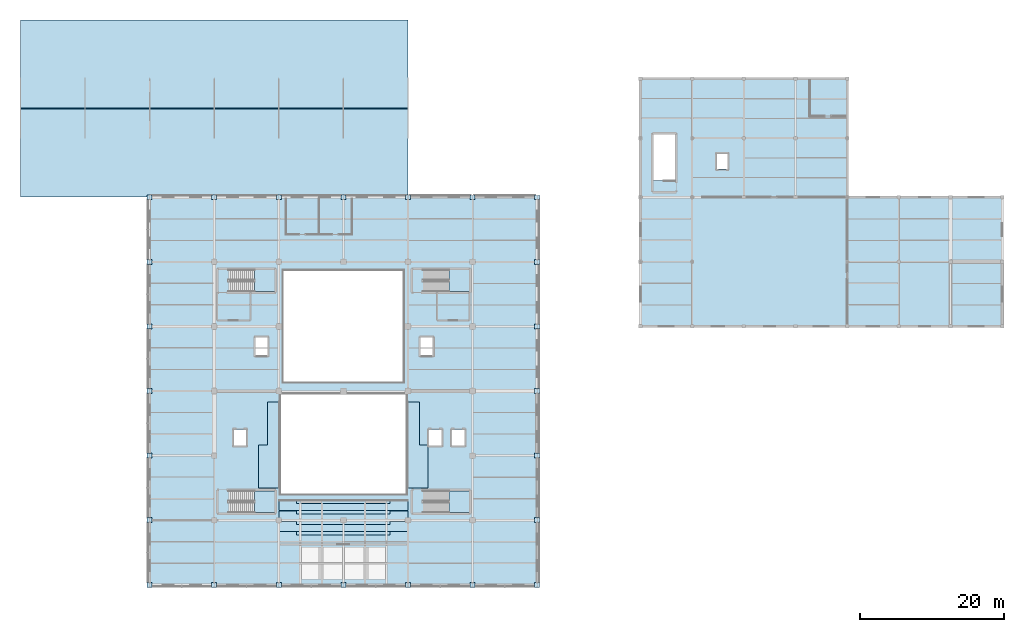
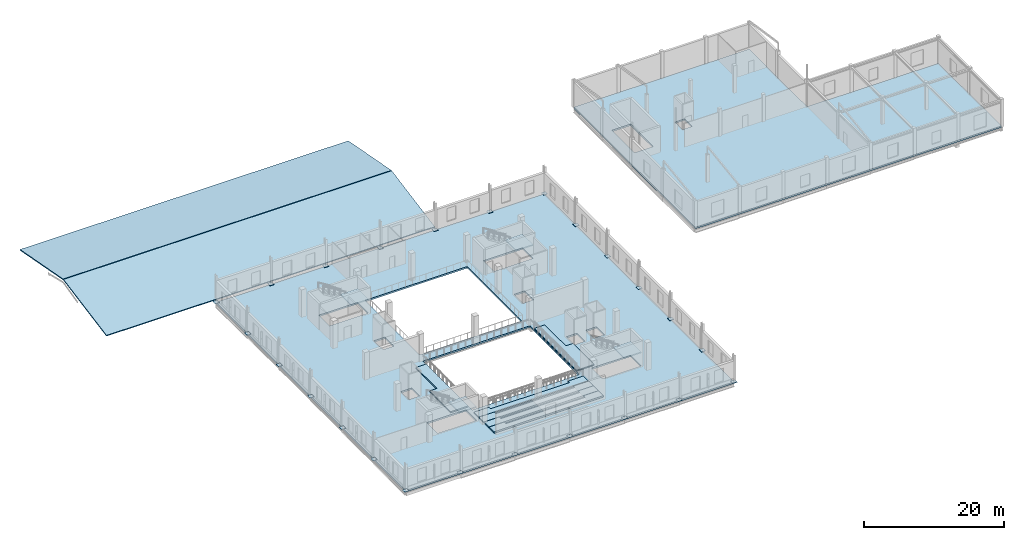
# One storey, part 15 of 35: 24 plates, 14 slabs, 4 elements without a shape of their own.
"""IFC4 building model written with IfcOpenShell, lengths in metres."""

from ifc_helpers import new_model, si_unit, direction, frame, origin, origin_2d, place, context, subcontext, project, spatial, polyline, rectangle, outline, extrude, material, layer, layer_set, type_object, element, aggregate, save


model = new_model("IFC4")

# Units and contexts
model_context = context("Model", 3, precision=1e-05, world=origin(), true_north=direction((0.0, 1.0)))
body_context = subcontext(model_context, "Body", "Model", "MODEL_VIEW")
ifc_project = project(units=[si_unit("LENGTHUNIT", "METRE"), si_unit("AREAUNIT", "SQUARE_METRE"), si_unit("VOLUMEUNIT", "CUBIC_METRE"), si_unit("PLANEANGLEUNIT", "RADIAN"), si_unit("MASSUNIT", "GRAM", prefix="KILO")], contexts=[model_context])

# Site, building, storey
site_placement = place(None, origin())
site = spatial("IfcSite", under=ifc_project, at=site_placement, CompositionType="ELEMENT")
building_placement = place(site_placement, origin())
building = spatial("IfcBuilding", under=site, at=building_placement, Name="Sundgate Opera House", CompositionType="ELEMENT")
storey_placement = place(building_placement, frame((0.0, 0.0, 21.60009765625)))
storey = spatial("IfcBuildingStorey", under=building, at=storey_placement, Name="L04", CompositionType="ELEMENT", Elevation=21.60009765625)

# Plates
ifc_material_1 = material(Name="Steel S355J2", Category="steel")
ifc_layer_1 = layer(ifc_material_1, 0.02587890625)
ifc_layer_set_1 = layer_set([ifc_layer_1], Name="Steel S355J2")
plate_type_1 = type_object("IfcPlateType", Name="PT-BAS-26", PredefinedType="USERDEFINED", material=ifc_layer_set_1)
for number, where, z_axis, x_axis, name in (
    (1, (54.0, 87.0, 0.0), (0.0, 0.0, 1.0), (1.0, 0.0, 0.0), "L04 Base Plate PT0090"),
    (2, (81.0, 60.0, 0.0), (0.0, 0.0, 1.0), (1.0, 0.0, 0.0), "L04 Base Plate PT0154"),
):
    element("IfcPlate", number, at=place(storey_placement, frame(where, z_axis=z_axis, x_axis=x_axis)), inside=storey, type_object=plate_type_1, Name=name, ObjectType="BASE PLATE", PredefinedType="USERDEFINED", context=body_context, shape_type="SweptSolid", body=[
        extrude(rectangle(XDim=0.68994140625, YDim=0.68994140625, at=origin_2d()), origin(), (0.0, 0.0, 1.0), 0.02587890625),
    ])
ifc_material_2 = material(Name="Steel S355J2", Category="steel")
ifc_layer_2 = layer(ifc_material_2, 0.030029296875)
ifc_layer_set_2 = layer_set([ifc_layer_2], Name="Steel S355J2")
plate_type_2 = type_object("IfcPlateType", Name="PT-BAS-30", PredefinedType="USERDEFINED", material=ifc_layer_set_2)
for number, where, z_axis, x_axis, name in (
    (3, (27.0, 33.0, 0.0), (0.0, 0.0, 1.0), (1.0, 0.0, 0.0), "L04 Base Plate PT0011"),
    (4, (63.0, 87.0, 0.0), (0.0, 0.0, 1.0), (1.0, 0.0, 0.0), "L04 Base Plate PT0109"),
    (5, (81.0, 69.0, 0.0), (0.0, 0.0, 1.0), (1.0, 0.0, 0.0), "L04 Base Plate PT0159"),
):
    element("IfcPlate", number, at=place(storey_placement, frame(where, z_axis=z_axis, x_axis=x_axis)), inside=storey, type_object=plate_type_2, Name=name, ObjectType="BASE PLATE", PredefinedType="USERDEFINED", context=body_context, shape_type="SweptSolid", body=[
        extrude(rectangle(XDim=0.68994140625, YDim=0.68994140625, at=origin_2d()), origin(), (0.0, 0.0, 1.0), 0.030029296875),
    ])
ifc_material_3 = material(Name="Steel S355J2", Category="steel")
ifc_layer_3 = layer(ifc_material_3, 0.033935546875)
ifc_layer_set_3 = layer_set([ifc_layer_3], Name="Steel S355J2")
plate_type_3 = type_object("IfcPlateType", Name="PT-BAS-34", PredefinedType="USERDEFINED", material=ifc_layer_set_3)
for number, where, z_axis, x_axis, name in (
    (6, (27.0, 42.0, 0.0), (0.0, 0.0, 1.0), (1.0, 0.0, 0.0), "L04 Base Plate PT0015"),
    (7, (36.0, 33.0, 0.0), (0.0, 0.0, 1.0), (1.0, 0.0, 0.0), "L04 Base Plate PT0046"),
    (8, (72.0, 87.0, 0.0), (0.0, 0.0, 1.0), (1.0, 0.0, 0.0), "L04 Base Plate PT0129"),
    (9, (81.0, 78.0, 0.0), (0.0, 0.0, 1.0), (1.0, 0.0, 0.0), "L04 Base Plate PT0164"),
):
    element("IfcPlate", number, at=place(storey_placement, frame(where, z_axis=z_axis, x_axis=x_axis)), inside=storey, type_object=plate_type_3, Name=name, ObjectType="BASE PLATE", PredefinedType="USERDEFINED", context=body_context, shape_type="SweptSolid", body=[
        extrude(rectangle(XDim=0.68994140625, YDim=0.68994140625, at=origin_2d()), origin(), (0.0, 0.0, 1.0), 0.033935546875),
    ])
ifc_material_4 = material(Name="Steel S355J2", Category="steel")
ifc_layer_4 = layer(ifc_material_4, 0.035888671875)
ifc_layer_set_4 = layer_set([ifc_layer_4], Name="Steel S355J2")
plate_type_4 = type_object("IfcPlateType", Name="PT-BAS-36", PredefinedType="USERDEFINED", material=ifc_layer_set_4)
for number, where, z_axis, x_axis, name in (
    (10, (27.0, 51.0, 0.0), (0.0, 0.0, 1.0), (1.0, 0.0, 0.0), "L04 Base Plate PT0019"),
    (11, (45.0, 33.0, 0.0), (0.0, 0.0, 1.0), (1.0, 0.0, 0.0), "L04 Base Plate PT0064"),
    (12, (81.0, 87.0, 0.0), (0.0, 0.0, 1.0), (1.0, 0.0, 0.0), "L04 Base Plate PT0169"),
):
    element("IfcPlate", number, at=place(storey_placement, frame(where, z_axis=z_axis, x_axis=x_axis)), inside=storey, type_object=plate_type_4, Name=name, ObjectType="BASE PLATE", PredefinedType="USERDEFINED", context=body_context, shape_type="SweptSolid", body=[
        extrude(rectangle(XDim=0.68994140625, YDim=0.68994140625, at=origin_2d()), origin(), (0.0, 0.0, 1.0), 0.035888671875),
    ])
ifc_material_5 = material(Name="Steel S355J2", Category="steel")
ifc_layer_5 = layer(ifc_material_5, 0.0400390625)
ifc_layer_set_5 = layer_set([ifc_layer_5], Name="Steel S355J2")
plate_type_5 = type_object("IfcPlateType", Name="PT-BAS-40", PredefinedType="USERDEFINED", material=ifc_layer_set_5)
for number, where, z_axis, x_axis, name in (
    (13, (27.0, 60.0, 0.0), (0.0, 0.0, 1.0), (1.0, 0.0, 0.0), "L04 Base Plate PT0023"),
    (14, (54.0, 33.0, 0.0), (0.0, 0.0, 1.0), (1.0, 0.0, 0.0), "L04 Base Plate PT0082"),
):
    element("IfcPlate", number, at=place(storey_placement, frame(where, z_axis=z_axis, x_axis=x_axis)), inside=storey, type_object=plate_type_5, Name=name, ObjectType="BASE PLATE", PredefinedType="USERDEFINED", context=body_context, shape_type="SweptSolid", body=[
        extrude(rectangle(XDim=0.68994140625, YDim=0.68994140625, at=origin_2d()), origin(), (0.0, 0.0, 1.0), 0.0400390625),
    ])
ifc_material_6 = material(Name="Steel S355J2", Category="steel")
ifc_layer_6 = layer(ifc_material_6, 0.044921875)
ifc_layer_set_6 = layer_set([ifc_layer_6], Name="Steel S355J2")
plate_type_6 = type_object("IfcPlateType", Name="PT-BAS-45", PredefinedType="USERDEFINED", material=ifc_layer_set_6)
for number, where, z_axis, x_axis, name in (
    (15, (27.0, 69.0, 0.0), (0.0, 0.0, 1.0), (1.0, 0.0, 0.0), "L04 Base Plate PT0028"),
    (16, (63.0, 33.0, 0.0), (0.0, 0.0, 1.0), (1.0, 0.0, 0.0), "L04 Base Plate PT0098"),
):
    element("IfcPlate", number, at=place(storey_placement, frame(where, z_axis=z_axis, x_axis=x_axis)), inside=storey, type_object=plate_type_6, Name=name, ObjectType="BASE PLATE", PredefinedType="USERDEFINED", context=body_context, shape_type="SweptSolid", body=[
        extrude(rectangle(XDim=0.68994140625, YDim=0.68994140625, at=origin_2d()), origin(), (0.0, 0.0, 1.0), 0.044921875),
    ])
ifc_material_7 = material(Name="Steel S355J2", Category="steel")
ifc_layer_7 = layer(ifc_material_7, 0.050048828125)
ifc_layer_set_7 = layer_set([ifc_layer_7], Name="Steel S355J2")
plate_type_7 = type_object("IfcPlateType", Name="PT-BAS-50", PredefinedType="USERDEFINED", material=ifc_layer_set_7)
for number, where, z_axis, x_axis, name in (
    (17, (27.0, 78.0, 0.0), (0.0, 0.0, 1.0), (1.0, 0.0, 0.0), "L04 Base Plate PT0033"),
    (18, (72.0, 33.0, 0.0), (0.0, 0.0, 1.0), (1.0, 0.0, 0.0), "L04 Base Plate PT0117"),
):
    element("IfcPlate", number, at=place(storey_placement, frame(where, z_axis=z_axis, x_axis=x_axis)), inside=storey, type_object=plate_type_7, Name=name, ObjectType="BASE PLATE", PredefinedType="USERDEFINED", context=body_context, shape_type="SweptSolid", body=[
        extrude(rectangle(XDim=0.68994140625, YDim=0.68994140625, at=origin_2d()), origin(), (0.0, 0.0, 1.0), 0.050048828125),
    ])
ifc_material_8 = material(Name="Steel S355J2", Category="steel")
ifc_layer_8 = layer(ifc_material_8, 0.055908203125)
ifc_layer_set_8 = layer_set([ifc_layer_8], Name="Steel S355J2")
plate_type_8 = type_object("IfcPlateType", Name="PT-BAS-56", PredefinedType="USERDEFINED", material=ifc_layer_set_8)
for number, where, z_axis, x_axis, name in (
    (19, (45.0, 87.0, 0.0), (0.0, 0.0, 1.0), (1.0, 0.0, 0.0), "L04 Base Plate PT0074"),
    (20, (81.0, 51.0, 0.0), (0.0, 0.0, 1.0), (1.0, 0.0, 0.0), "L04 Base Plate PT0150"),
):
    element("IfcPlate", number, at=place(storey_placement, frame(where, z_axis=z_axis, x_axis=x_axis)), inside=storey, type_object=plate_type_8, Name=name, ObjectType="BASE PLATE", PredefinedType="USERDEFINED", context=body_context, shape_type="SweptSolid", body=[
        extrude(rectangle(XDim=0.68994140625, YDim=0.68994140625, at=origin_2d()), origin(), (0.0, 0.0, 1.0), 0.055908203125),
    ])
ifc_material_9 = material(Name="Steel S355J2", Category="steel")
ifc_layer_9 = layer(ifc_material_9, 0.06201171875)
ifc_layer_set_9 = layer_set([ifc_layer_9], Name="Steel S355J2")
plate_type_9 = type_object("IfcPlateType", Name="PT-BAS-62", PredefinedType="USERDEFINED", material=ifc_layer_set_9)
for number, where, z_axis, x_axis, name in (
    (21, (36.0, 87.0, 0.0), (0.0, 0.0, 1.0), (1.0, 0.0, 0.0), "L04 Base Plate PT0056"),
    (22, (81.0, 42.0, 0.0), (0.0, 0.0, 1.0), (1.0, 0.0, 0.0), "L04 Base Plate PT0146"),
):
    element("IfcPlate", number, at=place(storey_placement, frame(where, z_axis=z_axis, x_axis=x_axis)), inside=storey, type_object=plate_type_9, Name=name, ObjectType="BASE PLATE", PredefinedType="USERDEFINED", context=body_context, shape_type="SweptSolid", body=[
        extrude(rectangle(XDim=0.68994140625, YDim=0.68994140625, at=origin_2d()), origin(), (0.0, 0.0, 1.0), 0.06201171875),
    ])
ifc_material_10 = material(Name="Steel S355J2", Category="steel")
ifc_layer_10 = layer(ifc_material_10, 0.068115234375)
ifc_layer_set_10 = layer_set([ifc_layer_10], Name="Steel S355J2")
plate_type_10 = type_object("IfcPlateType", Name="PT-BAS-68", PredefinedType="USERDEFINED", material=ifc_layer_set_10)
for number, where, z_axis, x_axis, name in (
    (23, (27.0, 87.0, 0.0), (0.0, 0.0, 1.0), (1.0, 0.0, 0.0), "L04 Base Plate PT0038"),
    (24, (81.0, 33.0, 0.0), (0.0, 0.0, 1.0), (1.0, 0.0, 0.0), "L04 Base Plate PT0142"),
):
    element("IfcPlate", number, at=place(storey_placement, frame(where, z_axis=z_axis, x_axis=x_axis)), inside=storey, type_object=plate_type_10, Name=name, ObjectType="BASE PLATE", PredefinedType="USERDEFINED", context=body_context, shape_type="SweptSolid", body=[
        extrude(rectangle(XDim=0.68994140625, YDim=0.68994140625, at=origin_2d()), origin(), (0.0, 0.0, 1.0), 0.068115234375),
    ])

# Slabs
ifc_material_11 = material(Name="Concrete C35/45", Category="concrete")
ifc_layer_11 = layer(ifc_material_11, 0.280029296875)
ifc_layer_set_11 = layer_set([ifc_layer_11], Name="Concrete C35/45")
slab_type_1 = type_object("IfcSlabType", Name="SL-FLR-280", PredefinedType="FLOOR", material=ifc_layer_set_11)
slab_1_placement = place(storey_placement, frame((0.0, 0.0, -0.280029296875)))
element("IfcSlab", 25, at=slab_1_placement, inside=storey, type_object=slab_type_1, Name="L04 Structural Floor Slab V1", PredefinedType="FLOOR", context=body_context, shape_type="SweptSolid", body=[
    extrude(outline(polyline([(27.0, 33.0), (81.0, 33.0), (81.0, 87.0), (27.0, 87.0), (27.0, 33.0)]), holes=[polyline([(45.199951171875, 59.60009765625), (62.800048828125, 59.60009765625), (62.800048828125, 45.60009765625), (45.199951171875, 45.60009765625), (45.199951171875, 59.60009765625)]), polyline([(45.60009765625, 76.800048828125), (62.39990234375, 76.800048828125), (62.39990234375, 61.199951171875), (45.60009765625, 61.199951171875), (45.60009765625, 76.800048828125)]), polyline([(38.050048828125, 46.10009765625), (44.449951171875, 46.10009765625), (44.449951171875, 43.050048828125), (38.050048828125, 43.050048828125), (38.050048828125, 46.10009765625)]), polyline([(38.050048828125, 76.89990234375), (44.449951171875, 76.89990234375), (44.449951171875, 73.85009765625), (38.050048828125, 73.85009765625), (38.050048828125, 76.89990234375)]), polyline([(65.14990234375, 46.10009765625), (71.550048828125, 46.10009765625), (71.550048828125, 43.050048828125), (65.14990234375, 43.050048828125), (65.14990234375, 46.10009765625)]), polyline([(65.14990234375, 76.89990234375), (71.550048828125, 76.89990234375), (71.550048828125, 73.85009765625), (65.14990234375, 73.85009765625), (65.14990234375, 76.89990234375)]), polyline([(65.919921875, 54.6298828125), (67.679931640625, 54.6298828125), (67.679931640625, 52.3701171875), (65.919921875, 52.3701171875), (65.919921875, 54.6298828125)]), polyline([(69.1201171875, 54.6298828125), (70.8798828125, 54.6298828125), (70.8798828125, 52.3701171875), (69.1201171875, 52.3701171875), (69.1201171875, 54.6298828125)]), polyline([(38.719970703125, 54.6298828125), (40.47998046875, 54.6298828125), (40.47998046875, 52.3701171875), (38.719970703125, 52.3701171875), (38.719970703125, 54.6298828125)]), polyline([(41.719970703125, 67.47998046875), (43.47998046875, 67.47998046875), (43.47998046875, 64.919921875), (41.719970703125, 64.919921875), (41.719970703125, 67.47998046875)]), polyline([(64.719970703125, 67.47998046875), (66.47998046875, 67.47998046875), (66.47998046875, 64.919921875), (64.719970703125, 64.919921875), (64.719970703125, 67.47998046875)])]), origin(), (0.0, 0.0, 1.0), 0.280029296875),
])
slab_2_placement = place(storey_placement, frame((0.0, 0.0, -0.280029296875)))
element("IfcSlab", 26, at=slab_2_placement, inside=storey, type_object=slab_type_1, Name="L04 Structural Floor Slab V4", PredefinedType="FLOOR", context=body_context, shape_type="SweptSolid", body=[
    extrude(outline(polyline([(95.39990234375, 69.0), (145.800048828125, 69.0), (145.800048828125, 87.0), (124.199951171875, 87.0), (124.199951171875, 103.5), (95.39990234375, 103.5), (95.39990234375, 69.0)]), holes=[polyline([(97.199951171875, 95.800048828125), (100.25, 95.800048828125), (100.25, 89.35009765625), (97.199951171875, 89.35009765625), (97.199951171875, 95.800048828125)]), polyline([(106.02001953125, 93.080078125), (107.580078125, 93.080078125), (107.580078125, 90.919921875), (106.02001953125, 90.919921875), (106.02001953125, 93.080078125)])]), origin(), (0.0, 0.0, 1.0), 0.280029296875),
])

# Stair, slab
ifc_material_12 = material(Name="Concrete C35/45", Category="concrete")
stair_type = type_object("IfcStairType", Name="ST-HT-28R-1450", PredefinedType="HALF_TURN_STAIR", material=ifc_material_12)
stair_1_placement = place(storey_placement, origin())
stair_1 = element("IfcStair", 27, at=stair_1_placement, inside=storey, type_object=stair_type, Name="L04 Escape Stair ST-01", PredefinedType="HALF_TURN_STAIR")
ifc_material_13 = material(Name="Concrete C35/45", Category="concrete")
ifc_layer_12 = layer(ifc_material_13, 0.199951171875)
ifc_layer_set_12 = layer_set([ifc_layer_12], Name="Concrete C35/45")
slab_type_2 = type_object("IfcSlabType", Name="SL-LAND-200", PredefinedType="LANDING", material=ifc_layer_set_12)
slab_3_placement = place(storey_placement, frame((0.0, 0.0, 2.199951171875)))
slab_3 = element("IfcSlab", 28, at=slab_3_placement, type_object=slab_type_2, Name="ST01L04 Landing 1", PredefinedType="LANDING", context=body_context, shape_type="SweptSolid", body=[
    extrude(outline(polyline([(41.639892578125, 43.050048828125), (44.449951171875, 43.050048828125), (44.449951171875, 46.10009765625), (41.639892578125, 46.10009765625), (41.639892578125, 43.050048828125)])), origin(), (0.0, 0.0, 1.0), 0.199951171875),
])
aggregate(stair_1, [slab_3])

stair_2_placement = place(storey_placement, origin())
stair_2 = element("IfcStair", 29, at=stair_2_placement, inside=storey, type_object=stair_type, Name="L04 Escape Stair ST-02", PredefinedType="HALF_TURN_STAIR")
slab_4_placement = place(storey_placement, frame((0.0, 0.0, 2.199951171875)))
slab_4 = element("IfcSlab", 30, at=slab_4_placement, type_object=slab_type_2, Name="ST02L04 Landing 1", PredefinedType="LANDING", context=body_context, shape_type="SweptSolid", body=[
    extrude(outline(polyline([(41.639892578125, 73.85009765625), (44.449951171875, 73.85009765625), (44.449951171875, 76.89990234375), (41.639892578125, 76.89990234375), (41.639892578125, 73.85009765625)])), origin(), (0.0, 0.0, 1.0), 0.199951171875),
])
aggregate(stair_2, [slab_4])

stair_3_placement = place(storey_placement, origin())
stair_3 = element("IfcStair", 31, at=stair_3_placement, inside=storey, type_object=stair_type, Name="L04 Escape Stair ST-03", PredefinedType="HALF_TURN_STAIR")
slab_5_placement = place(storey_placement, frame((0.0, 0.0, 2.199951171875)))
slab_5 = element("IfcSlab", 32, at=slab_5_placement, type_object=slab_type_2, Name="ST03L04 Landing 1", PredefinedType="LANDING", context=body_context, shape_type="SweptSolid", body=[
    extrude(outline(polyline([(68.739990234375, 43.050048828125), (71.550048828125, 43.050048828125), (71.550048828125, 46.10009765625), (68.739990234375, 46.10009765625), (68.739990234375, 43.050048828125)])), origin(), (0.0, 0.0, 1.0), 0.199951171875),
])
aggregate(stair_3, [slab_5])

stair_4_placement = place(storey_placement, origin())
stair_4 = element("IfcStair", 33, at=stair_4_placement, inside=storey, type_object=stair_type, Name="L04 Escape Stair ST-04", PredefinedType="HALF_TURN_STAIR")
slab_6_placement = place(storey_placement, frame((0.0, 0.0, 2.199951171875)))
slab_6 = element("IfcSlab", 34, at=slab_6_placement, type_object=slab_type_2, Name="ST04L04 Landing 1", PredefinedType="LANDING", context=body_context, shape_type="SweptSolid", body=[
    extrude(outline(polyline([(68.739990234375, 73.85009765625), (71.550048828125, 73.85009765625), (71.550048828125, 76.89990234375), (68.739990234375, 76.89990234375), (68.739990234375, 73.85009765625)])), origin(), (0.0, 0.0, 1.0), 0.199951171875),
])
aggregate(stair_4, [slab_6])

# Slabs
ifc_material_14 = material(Name="Precast concrete C40/50", Category="concrete")
ifc_layer_13 = layer(ifc_material_14, 0.175048828125)
ifc_layer_set_13 = layer_set([ifc_layer_13], Name="Precast concrete C40/50")
slab_type_3 = type_object("IfcSlabType", Name="SL-ROOF-175", PredefinedType="ROOF", material=ifc_layer_set_13)
slab_7_placement = place(storey_placement, frame((9.0, 87.050048828125, 0.5), z_axis=(0.0, -0.184224772213, 0.982884140325), x_axis=(1.0, 0.0, 0.0)))
element("IfcSlab", 35, at=slab_7_placement, inside=storey, type_object=slab_type_3, Name="V6 Atelier Pitched Roof Slab SR062", PredefinedType="ROOF", context=body_context, shape_type="SweptSolid", body=[
    extrude(outline(polyline([(0.0, 0.0), (54.0, 0.0), (54.0, 12.483688593436776), (0.0, 12.483688593436776), (0.0, 0.0)])), origin(), (0.0, 0.0, -1.0), 0.175048828125),
])
slab_8_placement = place(storey_placement, frame((9.0, 99.419921875, 2.7998046875), z_axis=(0.0, 0.184079696335, 0.982911321227), x_axis=(1.0, 0.0, 0.0)))
element("IfcSlab", 36, at=slab_8_placement, inside=storey, type_object=slab_type_3, Name="V6 Atelier Pitched Roof Slab SR063", PredefinedType="ROOF", context=body_context, shape_type="SweptSolid", body=[
    extrude(outline(polyline([(0.0, 0.0), (54.0, 0.0), (54.0, 12.493527169408775), (0.0, 12.493527169408775), (0.0, 0.0)])), origin(), (0.0, 0.0, -1.0), 0.175048828125),
])
ifc_material_15 = material(Name="Precast concrete C40/50", Category="concrete")
ifc_layer_14 = layer(ifc_material_15, 0.18505859375)
ifc_layer_set_14 = layer_set([ifc_layer_14], Name="Precast concrete C40/50")
slab_type_4 = type_object("IfcSlabType", Name="SL-TIER-185", PredefinedType="USERDEFINED", material=ifc_layer_set_14)
slab_9_placement = place(storey_placement, origin())
element("IfcSlab", 37, at=slab_9_placement, inside=storey, type_object=slab_type_4, Name="L04 East Horseshoe Opera Box Tier", ObjectType="SEATING TIER", PredefinedType="USERDEFINED", context=body_context, shape_type="SweptSolid", body=[
    extrude(outline(polyline([(62.89990234375, 46.5), (65.800048828125, 46.5), (65.800048828125, 52.5), (64.60009765625, 52.5), (64.60009765625, 58.5), (62.89990234375, 58.5), (62.89990234375, 46.5)])), origin(), (0.0, 0.0, 1.0), 0.184814453125),
])
ifc_material_16 = material(Name="Precast concrete C40/50", Category="concrete")
ifc_layer_15 = layer(ifc_material_16, 0.205078125)
ifc_layer_set_15 = layer_set([ifc_layer_15], Name="Precast concrete C40/50")
slab_type_5 = type_object("IfcSlabType", Name="SL-TIER-205", PredefinedType="USERDEFINED", material=ifc_layer_set_15)
slab_10_placement = place(storey_placement, origin())
element("IfcSlab", 38, at=slab_10_placement, inside=storey, type_object=slab_type_5, Name="L04 Horseshoe Balcony Tier 4", ObjectType="SEATING TIER", PredefinedType="USERDEFINED", context=body_context, shape_type="SweptSolid", body=[
    extrude(outline(polyline([(45.0, 43.35009765625), (63.0, 43.35009765625), (63.0, 44.75), (60.5, 44.75), (60.5, 44.300048828125), (47.5, 44.300048828125), (47.5, 44.75), (45.0, 44.75), (45.0, 43.35009765625)])), origin(), (0.0, 0.0, 1.0), 0.204833984375),
])
slab_11_placement = place(storey_placement, origin())
element("IfcSlab", 39, at=slab_11_placement, inside=storey, type_object=slab_type_5, Name="L04 West Horseshoe Opera Box Tier", ObjectType="SEATING TIER", PredefinedType="USERDEFINED", context=body_context, shape_type="SweptSolid", body=[
    extrude(outline(polyline([(42.199951171875, 46.5), (45.10009765625, 46.5), (45.10009765625, 58.5), (43.39990234375, 58.5), (43.39990234375, 52.5), (42.199951171875, 52.5), (42.199951171875, 46.5)])), origin(), (0.0, 0.0, 1.0), 0.204833984375),
])
ifc_material_17 = material(Name="Precast concrete C40/50", Category="concrete")
ifc_layer_16 = layer(ifc_material_17, 0.22509765625)
ifc_layer_set_16 = layer_set([ifc_layer_16], Name="Precast concrete C40/50")
slab_type_6 = type_object("IfcSlabType", Name="SL-TIER-225", PredefinedType="USERDEFINED", material=ifc_layer_set_16)
slab_12_placement = place(storey_placement, origin())
element("IfcSlab", 40, at=slab_12_placement, inside=storey, type_object=slab_type_6, Name="L04 Horseshoe Balcony Tier 3", ObjectType="SEATING TIER", PredefinedType="USERDEFINED", context=body_context, shape_type="SweptSolid", body=[
    extrude(outline(polyline([(45.0, 41.89990234375), (63.0, 41.89990234375), (63.0, 43.300048828125), (60.5, 43.300048828125), (60.5, 42.85009765625), (47.5, 42.85009765625), (47.5, 43.300048828125), (45.0, 43.300048828125), (45.0, 41.89990234375)])), origin(), (0.0, 0.0, 1.0), 0.224853515625),
])
ifc_material_18 = material(Name="Precast concrete C40/50", Category="concrete")
ifc_layer_17 = layer(ifc_material_18, 0.2451171875)
ifc_layer_set_17 = layer_set([ifc_layer_17], Name="Precast concrete C40/50")
slab_type_7 = type_object("IfcSlabType", Name="SL-TIER-245", PredefinedType="USERDEFINED", material=ifc_layer_set_17)
slab_13_placement = place(storey_placement, origin())
element("IfcSlab", 41, at=slab_13_placement, inside=storey, type_object=slab_type_7, Name="L04 Horseshoe Balcony Tier 2", ObjectType="SEATING TIER", PredefinedType="USERDEFINED", context=body_context, shape_type="SweptSolid", body=[
    extrude(outline(polyline([(45.0, 40.449951171875), (63.0, 40.449951171875), (63.0, 41.85009765625), (60.5, 41.85009765625), (60.5, 41.39990234375), (47.5, 41.39990234375), (47.5, 41.85009765625), (45.0, 41.85009765625), (45.0, 40.449951171875)])), origin(), (0.0, 0.0, 1.0), 0.244873046875),
])
ifc_material_19 = material(Name="Precast concrete C40/50", Category="concrete")
ifc_layer_18 = layer(ifc_material_19, 0.264892578125)
ifc_layer_set_18 = layer_set([ifc_layer_18], Name="Precast concrete C40/50")
slab_type_8 = type_object("IfcSlabType", Name="SL-TIER-265", PredefinedType="USERDEFINED", material=ifc_layer_set_18)
slab_14_placement = place(storey_placement, origin())
element("IfcSlab", 42, at=slab_14_placement, inside=storey, type_object=slab_type_8, Name="L04 Horseshoe Balcony Tier 1", ObjectType="SEATING TIER", PredefinedType="USERDEFINED", context=body_context, shape_type="SweptSolid", body=[
    extrude(outline(polyline([(45.0, 39.0), (63.0, 39.0), (63.0, 40.39990234375), (60.5, 40.39990234375), (60.5, 39.949951171875), (47.5, 39.949951171875), (47.5, 40.39990234375), (45.0, 40.39990234375), (45.0, 39.0)])), origin(), (0.0, 0.0, 1.0), 0.264892578125),
])

save(model, "model.ifc")
